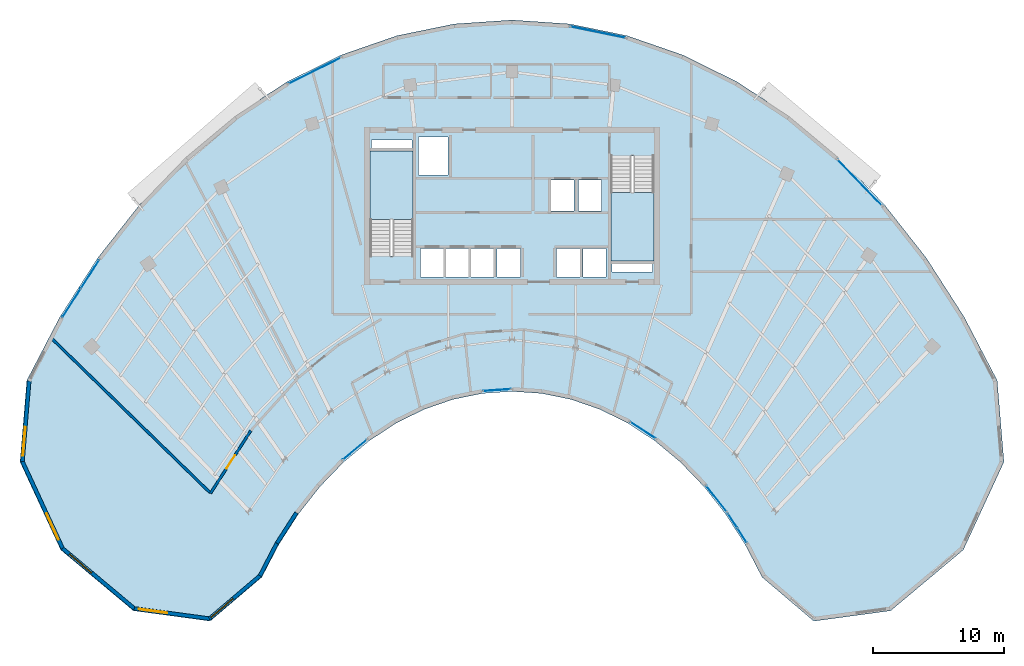
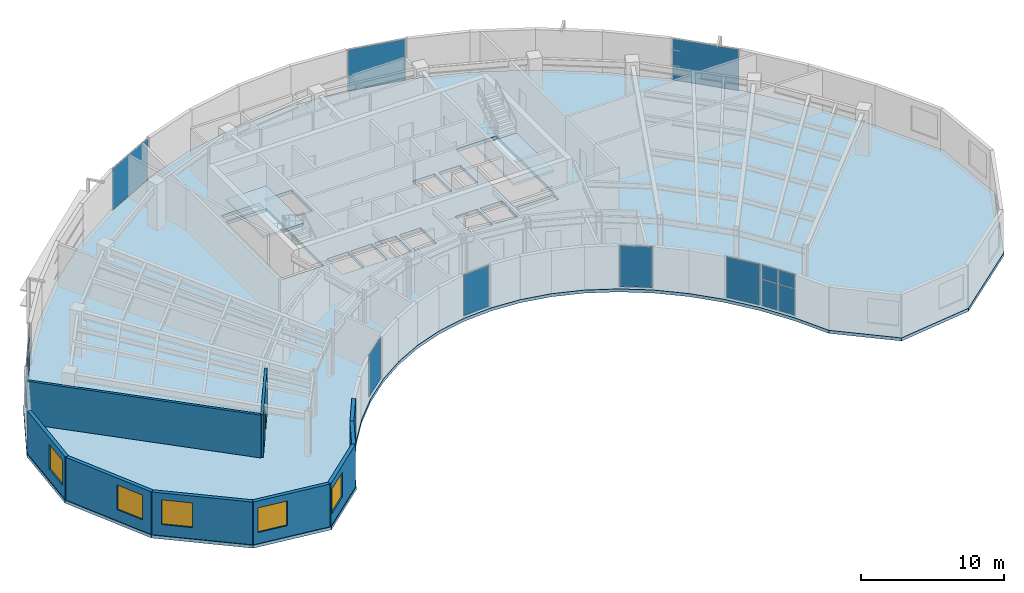
# One storey, part 7 of 13: 15 plates, 9 walls, 5 windows, 3 slabs, 1 door, 6 openings, 11 elements without a shape of their own.
"""IFC4 building model written with IfcOpenShell, lengths in metres."""

from ifc_helpers import new_model, si_unit, direction, frame, frame_2d, origin, origin_2d, place, context, subcontext, project, spatial, polyline, rectangle, outline, extrude, source, transform, mapped, material, layer, layer_set, type_object, type_shapes, element, fill, aggregate, save


model = new_model("IFC4")

# Units and contexts
model_context = context("Model", 3, precision=1e-05, world=origin(), true_north=direction((0.0, 1.0)))
body_context = subcontext(model_context, "Body", "Model", "MODEL_VIEW")
ifc_project = project(units=[si_unit("LENGTHUNIT", "METRE"), si_unit("AREAUNIT", "SQUARE_METRE"), si_unit("VOLUMEUNIT", "CUBIC_METRE"), si_unit("PLANEANGLEUNIT", "RADIAN"), si_unit("MASSUNIT", "GRAM", prefix="KILO")], contexts=[model_context])

# Site, building, storey
site_placement = place(None, origin())
site = spatial("IfcSite", under=ifc_project, at=site_placement, CompositionType="ELEMENT")
building_placement = place(site_placement, origin())
building = spatial("IfcBuilding", under=site, at=building_placement, Name="Breltana Convention Tower", CompositionType="ELEMENT")
storey_placement = place(building_placement, frame((0.0, 0.0, 223.5)))
storey = spatial("IfcBuildingStorey", under=building, at=storey_placement, Name="L54", CompositionType="ELEMENT", Elevation=223.5)

# Stair, slab
ifc_material_1 = material(Name="Concrete C40/50", Category="concrete")
stair_type = type_object("IfcStairType", Name="ST-DOG-1560-R177", PredefinedType="HALF_TURN_STAIR", material=ifc_material_1)
stair_1_placement = place(storey_placement, origin())
stair_1 = element("IfcStair", 1, at=stair_1_placement, inside=storey, type_object=stair_type, Name="L54 Protected Core Exit Stair ST-1", PredefinedType="HALF_TURN_STAIR")
ifc_layer_1 = layer(ifc_material_1, 0.199951171875, Name="Concrete C40/50")
ifc_layer_set_1 = layer_set([ifc_layer_1], Name="Concrete C40/50")
slab_type_1 = type_object("IfcSlabType", Name="SL-STAIR-LANDING-200", PredefinedType="LANDING", material=ifc_layer_set_1)
slab_1_placement = place(storey_placement, frame((0.0, 0.0, 1.75)))
slab_1 = element("IfcSlab", 2, at=slab_1_placement, type_object=slab_type_1, Name="ST-1 landing 1", PredefinedType="LANDING", context=body_context, shape_type="SweptSolid", body=[
    extrude(outline(polyline([(40.469970703125, 65.159912109375), (40.469970703125, 70.39990234375), (37.199951171875, 70.39990234375), (37.199951171875, 65.159912109375), (40.469970703125, 65.159912109375)])), origin(), (0.0, 0.0, 1.0), 0.199951171875),
])
aggregate(stair_1, [slab_1])

stair_2_placement = place(storey_placement, origin())
stair_2 = element("IfcStair", 3, at=stair_2_placement, inside=storey, type_object=stair_type, Name="L54 Protected Core Exit Stair ST-2", PredefinedType="HALF_TURN_STAIR")
slab_2_placement = place(storey_placement, frame((0.0, 0.0, 1.75)))
slab_2 = element("IfcSlab", 4, at=slab_2_placement, type_object=slab_type_1, Name="ST-2 landing 1", PredefinedType="LANDING", context=body_context, shape_type="SweptSolid", body=[
    extrude(outline(polyline([(55.530029296875, 67.239990234375), (55.530029296875, 62.0), (58.800048828125, 62.0), (58.800048828125, 67.239990234375), (55.530029296875, 67.239990234375)])), origin(), (0.0, 0.0, 1.0), 0.199951171875),
])
aggregate(stair_2, [slab_2])

# Slab
ifc_layer_2 = layer(ifc_material_1, 0.260009765625, Name="Concrete C40/50")
ifc_layer_set_2 = layer_set([ifc_layer_2], Name="Concrete C40/50")
slab_type_2 = type_object("IfcSlabType", Name="SL-UPP-260", PredefinedType="FLOOR", material=ifc_layer_set_2)
slab_3_placement = place(storey_placement, frame((0.0, 0.0, -0.260009765625)))
element("IfcSlab", 5, at=slab_3_placement, inside=storey, type_object=slab_type_2, Name="L54 Suspended Structural Floor Slab", PredefinedType="FLOOR", context=body_context, shape_type="SweptSolid", body=[
    extrude(outline(polyline([(84.9326171875, 52.924560546875), (82.411376953125, 57.767333984375), (79.53759765625, 62.244140625), (76.34130859375, 66.308837890625), (72.8544921875, 69.919921875), (69.113525390625, 73.040283203125), (65.15625, 75.637939453125), (61.023193359375, 77.6865234375), (56.7568359375, 79.1650390625), (52.40087890625, 80.058349609375), (48.0, 80.35693359375), (43.59912109375, 80.058349609375), (39.2431640625, 79.1650390625), (34.976806640625, 77.6865234375), (30.84375, 75.637939453125), (26.886474609375, 73.040283203125), (23.1455078125, 69.919921875), (19.65869140625, 66.308837890625), (16.46240234375, 62.244140625), (13.588623046875, 57.767333984375), (11.0673828125, 52.924560546875), (10.548583984375, 46.716796875), (13.645263671875, 40.0185546875), (19.1748046875, 35.388427734375), (25.02490234375, 34.59521484375), (28.961181640625, 37.941650390625), (30.260986328125, 40.43798828125), (31.7421875, 42.745849609375), (33.39013671875, 44.84130859375), (35.1875, 46.70263671875), (37.115966796875, 48.311279296875), (39.156005859375, 49.650390625), (41.28662109375, 50.706298828125), (43.48583984375, 51.468505859375), (45.731201171875, 51.928955078125), (48.0, 52.0830078125), (50.268798828125, 51.928955078125), (52.51416015625, 51.468505859375), (54.71337890625, 50.706298828125), (56.843994140625, 49.650390625), (58.884033203125, 48.311279296875), (60.8125, 46.70263671875), (62.60986328125, 44.84130859375), (64.2578125, 42.745849609375), (65.739013671875, 40.43798828125), (67.038818359375, 37.941650390625), (70.97509765625, 34.59521484375), (76.8251953125, 35.388427734375), (82.354736328125, 40.0185546875), (85.451416015625, 46.716796875), (84.9326171875, 52.924560546875)]), holes=[polyline([(37.199951171875, 62.385009765625), (40.469970703125, 62.385009765625), (40.469970703125, 70.39990234375), (37.199951171875, 70.39990234375), (37.199951171875, 62.385009765625)]), polyline([(55.530029296875, 62.0), (58.800048828125, 62.0), (58.800048828125, 70.014892578125), (55.530029296875, 70.014892578125), (55.530029296875, 62.0)]), polyline([(41.0400390625, 60.800048828125), (42.800048828125, 60.800048828125), (42.800048828125, 62.97998046875), (41.0400390625, 62.97998046875), (41.0400390625, 60.800048828125)]), polyline([(42.93994140625, 60.800048828125), (44.699951171875, 60.800048828125), (44.699951171875, 62.97998046875), (42.93994140625, 62.97998046875), (42.93994140625, 60.800048828125)]), polyline([(44.8701171875, 60.800048828125), (46.6298828125, 60.800048828125), (46.6298828125, 62.97998046875), (44.8701171875, 62.97998046875), (44.8701171875, 60.800048828125)]), polyline([(46.8701171875, 60.800048828125), (48.6298828125, 60.800048828125), (48.6298828125, 62.97998046875), (46.8701171875, 62.97998046875), (46.8701171875, 60.800048828125)]), polyline([(51.39990234375, 60.800048828125), (53.159912109375, 60.800048828125), (53.159912109375, 62.97998046875), (51.39990234375, 62.97998046875), (51.39990234375, 60.800048828125)]), polyline([(53.39990234375, 60.800048828125), (55.159912109375, 60.800048828125), (55.159912109375, 62.97998046875), (53.39990234375, 62.97998046875), (53.39990234375, 60.800048828125)]), polyline([(50.969970703125, 65.800048828125), (52.72998046875, 65.800048828125), (52.72998046875, 68.179931640625), (50.969970703125, 68.179931640625), (50.969970703125, 65.800048828125)]), polyline([(53.070068359375, 65.800048828125), (54.830078125, 65.800048828125), (54.830078125, 68.179931640625), (53.070068359375, 68.179931640625), (53.070068359375, 65.800048828125)]), polyline([(40.8798828125, 68.550048828125), (43.1201171875, 68.550048828125), (43.1201171875, 71.449951171875), (40.8798828125, 71.449951171875), (40.8798828125, 68.550048828125)]), polyline([(37.300048828125, 70.60009765625), (40.3798828125, 70.60009765625), (40.3798828125, 71.219970703125), (37.300048828125, 71.219970703125), (37.300048828125, 70.60009765625)]), polyline([(55.6201171875, 61.179931640625), (58.699951171875, 61.179931640625), (58.699951171875, 61.800048828125), (55.6201171875, 61.800048828125), (55.6201171875, 61.179931640625)])]), origin(), (0.0, 0.0, 1.0), 0.260009765625),
])

# Curtain wall, plates
ifc_material_2 = material(Name="Aluminium Anodised Bronze Frame", Category="aluminium")
ifc_layer_3 = layer(ifc_material_2, 0.18994140625, Name="Aluminium Anodised Bronze Frame")
ifc_layer_set_3 = layer_set([ifc_layer_3], Name="Aluminium Anodised Bronze Frame")
curtain_wall_type_1 = type_object("IfcCurtainWallType", Name="CW-SYS-1", PredefinedType="NOTDEFINED", material=ifc_layer_set_3)
curtain_wall_1_placement = place(storey_placement, origin())
curtain_wall_1 = element("IfcCurtainWall", 6, at=curtain_wall_1_placement, inside=storey, type_object=curtain_wall_type_1, Name="L54 inner south-court glazing 1", PredefinedType="NOTDEFINED")
ifc_material_3 = material(Name="Glass Low-E Double Glazing", Category="glass")
ifc_layer_4 = layer(ifc_material_3, 0.028076171875, Name="Glass Low-E Double Glazing")
ifc_layer_set_4 = layer_set([ifc_layer_4], Name="Glass Low-E Double Glazing")
plate_type = type_object("IfcPlateType", Name="CWP-IGU-28", PredefinedType="CURTAIN_PANEL", material=ifc_layer_set_4)
shared_shape_1 = source(origin(), body_context, "Body", "SweptSolid", [
    extrude(rectangle(XDim=1.251220703125, YDim=0.028076171875, at=origin_2d()), origin(), (0.0, 0.0, 1.0), 2.24609375),
])
plate_1_placement = place(storey_placement, frame((65.50927734375, 41.129150390625, 0.079833984375), z_axis=(0.0, 0.0, 1.0), x_axis=(-0.540184263938, 0.841546766968, 0.0)))
plate_1 = element("IfcPlate", 7, at=plate_1_placement, type_object=plate_type, Name="CW-01 panel 1.1", PredefinedType="CURTAIN_PANEL", context=body_context, shape_type="MappedRepresentation", body=[
    mapped(shared_shape_1, transform((0.0, 0.0, 0.0), scale=1.0)),
])
plate_2_placement = place(storey_placement, frame((64.790283203125, 42.249267578125, 0.079833984375), z_axis=(0.0, 0.0, 1.0), x_axis=(-0.540184263938, 0.841546766968, 0.0)))
plate_2 = element("IfcPlate", 8, at=plate_2_placement, type_object=plate_type, Name="CW-01 panel 2.1", PredefinedType="CURTAIN_PANEL", context=body_context, shape_type="MappedRepresentation", body=[
    mapped(shared_shape_1, transform((0.0, 0.0, 0.0), scale=1.0)),
])
shared_shape_2 = source(origin(), body_context, "Body", "SweptSolid", [
    extrude(rectangle(XDim=1.251220703125, YDim=0.028076171875, at=origin_2d()), origin(), (0.0, 0.0, 1.0), 1.154052734375),
])
plate_3_placement = place(storey_placement, frame((65.50927734375, 41.129150390625, 2.40576171875), z_axis=(0.0, 0.0, 1.0), x_axis=(-0.540184263938, 0.841546766968, 0.0)))
plate_3 = element("IfcPlate", 9, at=plate_3_placement, type_object=plate_type, Name="CW-01 panel 1.2", PredefinedType="CURTAIN_PANEL", context=body_context, shape_type="MappedRepresentation", body=[
    mapped(shared_shape_2, transform((0.0, 0.0, 0.0), scale=1.0)),
])
plate_4_placement = place(storey_placement, frame((64.790283203125, 42.249267578125, 2.40576171875), z_axis=(0.0, 0.0, 1.0), x_axis=(-0.540184263938, 0.841546766968, 0.0)))
plate_4 = element("IfcPlate", 10, at=plate_4_placement, type_object=plate_type, Name="CW-01 panel 2.2", PredefinedType="CURTAIN_PANEL", context=body_context, shape_type="MappedRepresentation", body=[
    mapped(shared_shape_2, transform((0.0, 0.0, 0.0), scale=1.0)),
])
aggregate(curtain_wall_1, [plate_1, plate_3, plate_2, plate_4])

# Curtain wall, plate
curtain_wall_2_placement = place(storey_placement, origin())
curtain_wall_2 = element("IfcCurtainWall", 11, at=curtain_wall_2_placement, inside=storey, type_object=curtain_wall_type_1, Name="L54 inner south-court glazing 2", PredefinedType="NOTDEFINED")
shared_shape_3 = source(origin(), body_context, "Body", "SweptSolid", [
    extrude(rectangle(XDim=2.505615234375, YDim=0.028076171875, at=origin_2d()), origin(), (0.0, 0.0, 1.0), 3.47998046875),
])
plate_5_placement = place(storey_placement, frame((63.5751953125, 43.90478515625, 0.080078125), z_axis=(0.0, 0.0, 1.0), x_axis=(-0.6181495353, 0.786060526937, 0.0)))
plate_5 = element("IfcPlate", 12, at=plate_5_placement, type_object=plate_type, Name="CW-01 panel 1.1", PredefinedType="CURTAIN_PANEL", context=body_context, shape_type="MappedRepresentation", body=[
    mapped(shared_shape_3, transform((0.0, 0.0, 0.0), scale=1.0)),
])
aggregate(curtain_wall_2, [plate_5])

# Curtain wall, plates
ifc_layer_5 = layer(ifc_material_2, 0.219970703125, Name="Aluminium Anodised Bronze Frame")
ifc_layer_set_5 = layer_set([ifc_layer_5], Name="Aluminium Anodised Bronze Frame")
curtain_wall_type_2 = type_object("IfcCurtainWallType", Name="CW-SYS-4", PredefinedType="NOTDEFINED", material=ifc_layer_set_5)
curtain_wall_3_placement = place(storey_placement, origin())
curtain_wall_3 = element("IfcCurtainWall", 13, at=curtain_wall_3_placement, inside=storey, type_object=curtain_wall_type_2, Name="L54 outer double-skin inner glazing 1", PredefinedType="NOTDEFINED")
shared_shape_4 = source(origin(), body_context, "Body", "SweptSolid", [
    extrude(rectangle(XDim=2.531494140625, YDim=0.028076171875, at=origin_2d()), origin(), (0.0, 0.0, 1.0), 2.260986328125),
])
plate_6_placement = place(storey_placement, frame((14.471435546875, 58.8095703125, 0.06982421875), z_axis=(0.0, 0.0, 1.0), x_axis=(0.540181791075, 0.84154835428, 0.0)))
plate_6 = element("IfcPlate", 14, at=plate_6_placement, type_object=plate_type, Name="CW-04 panel 1.1", PredefinedType="CURTAIN_PANEL", context=body_context, shape_type="MappedRepresentation", body=[
    mapped(shared_shape_4, transform((0.0, 0.0, 0.0), scale=1.0)),
])
plate_7_placement = place(storey_placement, frame((15.882080078125, 61.007080078125, 0.06982421875), z_axis=(0.0, 0.0, 1.0), x_axis=(0.540181791075, 0.84154835428, 0.0)))
plate_7 = element("IfcPlate", 15, at=plate_7_placement, type_object=plate_type, Name="CW-04 panel 2.1", PredefinedType="CURTAIN_PANEL", context=body_context, shape_type="MappedRepresentation", body=[
    mapped(shared_shape_4, transform((0.0, 0.0, 0.0), scale=1.0)),
])
shared_shape_5 = source(origin(), body_context, "Body", "SweptSolid", [
    extrude(rectangle(XDim=2.531494140625, YDim=0.028076171875, at=origin_2d()), origin(), (0.0, 0.0, 1.0), 1.1689453125),
])
plate_8_placement = place(storey_placement, frame((14.471435546875, 58.8095703125, 2.401123046875), z_axis=(0.0, 0.0, 1.0), x_axis=(0.540181791075, 0.84154835428, 0.0)))
plate_8 = element("IfcPlate", 16, at=plate_8_placement, type_object=plate_type, Name="CW-04 panel 1.2", PredefinedType="CURTAIN_PANEL", context=body_context, shape_type="MappedRepresentation", body=[
    mapped(shared_shape_5, transform((0.0, 0.0, 0.0), scale=1.0)),
])
plate_9_placement = place(storey_placement, frame((15.882080078125, 61.007080078125, 2.401123046875), z_axis=(0.0, 0.0, 1.0), x_axis=(0.540181791075, 0.84154835428, 0.0)))
plate_9 = element("IfcPlate", 17, at=plate_9_placement, type_object=plate_type, Name="CW-04 panel 2.2", PredefinedType="CURTAIN_PANEL", context=body_context, shape_type="MappedRepresentation", body=[
    mapped(shared_shape_5, transform((0.0, 0.0, 0.0), scale=1.0)),
])
aggregate(curtain_wall_3, [plate_6, plate_8, plate_7, plate_9])

# Curtain wall, plate
curtain_wall_4_placement = place(storey_placement, origin())
curtain_wall_4 = element("IfcCurtainWall", 18, at=curtain_wall_4_placement, inside=storey, type_object=curtain_wall_type_2, Name="L54 outer double-skin inner glazing 4", PredefinedType="NOTDEFINED")
shared_shape_6 = source(origin(), body_context, "Body", "SweptSolid", [
    extrude(rectangle(XDim=4.8408203125, YDim=0.028076171875, at=origin_2d()), origin(), (0.0, 0.0, 1.0), 3.5),
])
plate_10_placement = place(storey_placement, frame((74.46875, 67.989013671875, 0.070068359375), z_axis=(0.0, 0.0, 1.0), x_axis=(0.694599866751, -0.719396292115, 0.0)))
plate_10 = element("IfcPlate", 19, at=plate_10_placement, type_object=plate_type, Name="CW-04 panel 1.1", PredefinedType="CURTAIN_PANEL", context=body_context, shape_type="MappedRepresentation", body=[
    mapped(shared_shape_6, transform((0.0, 0.0, 0.0), scale=1.0)),
])
aggregate(curtain_wall_4, [plate_10])

curtain_wall_5_placement = place(storey_placement, origin())
curtain_wall_5 = element("IfcCurtainWall", 20, at=curtain_wall_5_placement, inside=storey, type_object=curtain_wall_type_2, Name="L54 outer double-skin inner glazing 3", PredefinedType="NOTDEFINED")
shared_shape_7 = source(origin(), body_context, "Body", "SweptSolid", [
    extrude(rectangle(XDim=4.262451171875, YDim=0.028076171875, at=origin_2d()), origin(), (0.0, 0.0, 1.0), 3.5),
])
plate_11_placement = place(storey_placement, frame((54.54296875, 79.435302734375, 0.070068359375), z_axis=(0.0, 0.0, 1.0), x_axis=(0.979615937236, -0.200879604523, 0.0)))
plate_11 = element("IfcPlate", 21, at=plate_11_placement, type_object=plate_type, Name="CW-04 panel 1.1", PredefinedType="CURTAIN_PANEL", context=body_context, shape_type="MappedRepresentation", body=[
    mapped(shared_shape_7, transform((0.0, 0.0, 0.0), scale=1.0)),
])
aggregate(curtain_wall_5, [plate_11])

curtain_wall_6_placement = place(storey_placement, origin())
curtain_wall_6 = element("IfcCurtainWall", 22, at=curtain_wall_6_placement, inside=storey, type_object=curtain_wall_type_2, Name="L54 outer double-skin inner glazing 2", PredefinedType="NOTDEFINED")
shared_shape_8 = source(origin(), body_context, "Body", "SweptSolid", [
    extrude(rectangle(XDim=4.430419921875, YDim=0.028076171875, at=origin_2d()), origin(), (0.0, 0.0, 1.0), 3.5),
])
plate_12_placement = place(storey_placement, frame((32.989990234375, 76.5009765625, 0.070068359375), z_axis=(0.0, 0.0, 1.0), x_axis=(0.895972827235, 0.444108875003, 0.0)))
plate_12 = element("IfcPlate", 23, at=plate_12_placement, type_object=plate_type, Name="CW-04 panel 1.1", PredefinedType="CURTAIN_PANEL", context=body_context, shape_type="MappedRepresentation", body=[
    mapped(shared_shape_8, transform((0.0, 0.0, 0.0), scale=1.0)),
])
aggregate(curtain_wall_6, [plate_12])

curtain_wall_7_placement = place(storey_placement, origin())
curtain_wall_7 = element("IfcCurtainWall", 24, at=curtain_wall_7_placement, inside=storey, type_object=curtain_wall_type_1, Name="L54 inner south-court glazing 3", PredefinedType="NOTDEFINED")
shared_shape_9 = source(origin(), body_context, "Body", "SweptSolid", [
    extrude(rectangle(XDim=2.2802734375, YDim=0.028076171875, at=origin_2d()), origin(), (0.0, 0.0, 1.0), 3.47998046875),
])
plate_13_placement = place(storey_placement, frame((57.962890625, 49.13134765625, 0.080078125), z_axis=(0.0, 0.0, 1.0), x_axis=(-0.835982113821, 0.548756690502, 0.0)))
plate_13 = element("IfcPlate", 25, at=plate_13_placement, type_object=plate_type, Name="CW-01 panel 1.1", PredefinedType="CURTAIN_PANEL", context=body_context, shape_type="MappedRepresentation", body=[
    mapped(shared_shape_9, transform((0.0, 0.0, 0.0), scale=1.0)),
])
aggregate(curtain_wall_7, [plate_13])

curtain_wall_8_placement = place(storey_placement, origin())
curtain_wall_8 = element("IfcCurtainWall", 26, at=curtain_wall_8_placement, inside=storey, type_object=curtain_wall_type_1, Name="L54 inner south-court glazing 4", PredefinedType="NOTDEFINED")
shared_shape_10 = source(origin(), body_context, "Body", "SweptSolid", [
    extrude(rectangle(XDim=2.114013671875, YDim=0.028076171875, at=origin_2d()), origin(), (0.0, 0.0, 1.0), 3.47998046875),
])
plate_14_placement = place(storey_placement, frame((46.853515625, 52.185546875, 0.080078125), z_axis=(0.0, 0.0, 1.0), x_axis=(-0.997704064785, -0.067724435121, 0.0)))
plate_14 = element("IfcPlate", 27, at=plate_14_placement, type_object=plate_type, Name="CW-01 panel 1.1", PredefinedType="CURTAIN_PANEL", context=body_context, shape_type="MappedRepresentation", body=[
    mapped(shared_shape_10, transform((0.0, 0.0, 0.0), scale=1.0)),
])
aggregate(curtain_wall_8, [plate_14])

curtain_wall_9_placement = place(storey_placement, origin())
curtain_wall_9 = element("IfcCurtainWall", 28, at=curtain_wall_9_placement, inside=storey, type_object=curtain_wall_type_1, Name="L54 inner south-court glazing 5", PredefinedType="NOTDEFINED")
shared_shape_11 = source(origin(), body_context, "Body", "SweptSolid", [
    extrude(rectangle(XDim=2.351318359375, YDim=0.028076171875, at=origin_2d()), origin(), (0.0, 0.0, 1.0), 3.47998046875),
])
plate_15_placement = place(storey_placement, frame((36.036376953125, 47.64501953125, 0.080078125), z_axis=(0.0, 0.0, 1.0), x_axis=(-0.767924180628, -0.640540750309, 0.0)))
plate_15 = element("IfcPlate", 29, at=plate_15_placement, type_object=plate_type, Name="CW-01 panel 1.1", PredefinedType="CURTAIN_PANEL", context=body_context, shape_type="MappedRepresentation", body=[
    mapped(shared_shape_11, transform((0.0, 0.0, 0.0), scale=1.0)),
])
aggregate(curtain_wall_9, [plate_15])

# Wall, opening, window
ifc_material_4 = material(Name="Limestone Buff Insulated Wall", Category="masonry")
ifc_layer_6 = layer(ifc_material_4, 0.280029296875, Name="Limestone Buff Insulated Wall")
ifc_layer_set_6 = layer_set([ifc_layer_6], Name="Limestone Buff Insulated Wall")
wall_type_1 = type_object("IfcWallType", Name="WL-EXT-NOSE-280", PredefinedType="SOLIDWALL", material=ifc_layer_set_6)
shared_shape_12 = source(origin(), body_context, "Body", "SweptSolid", [
    extrude(rectangle(XDim=6.145751953125, YDim=0.280029296875, at=frame_2d((3.07275390625, 0.0))), origin(), (0.0, 0.0, 1.0), 3.639892578125),
])
wall_1_placement = place(storey_placement, frame((10.73193359375, 46.7490234375, 0.0), z_axis=(0.0, 0.0, 1.0), x_axis=(0.083301904456, 0.996524356307, 0.0)))
wall_1 = element("IfcWall", 30, at=wall_1_placement, inside=storey, type_object=wall_type_1, Name="L54 curved limestone nose wall W6", PredefinedType="SOLIDWALL", context=body_context, shape_type="MappedRepresentation", body=[
    mapped(shared_shape_12, transform((0.0, 0.0, 0.0), scale=1.0)),
])
opening_1_placement = place(wall_1_placement, frame((0.436279296875, 0.0, 0.949951171875)))
opening_1 = element("IfcOpeningElement", 31, at=opening_1_placement, cuts=wall_1, Name="Opening W-03", PredefinedType="OPENING", context=body_context, shape_type="SweptSolid", body=[
    extrude(rectangle(XDim=2.199951171875, YDim=2.10009765625, at=frame_2d((1.10009765625, 1.050048828125))), frame((0.0, 0.14990234375, 0.0), z_axis=(0.0, -1.0, 0.0), x_axis=(1.0, 0.0, 0.0)), (0.0, 0.0, 1.0), 0.300048828125),
])
ifc_material_5 = material(Name="Glass Low-E Insulated Window", Category="glass")
window_type = type_object("IfcWindowType", Name="WN-NOSE-2200X2100", PartitioningType="TRIPLE_PANEL_VERTICAL", PredefinedType="WINDOW", material=ifc_material_5)
shared_shape_13 = source(origin(), body_context, "Body", "SweptSolid", [
    extrude(rectangle(XDim=2.199951171875, YDim=2.10009765625, at=frame_2d((1.10009765625, 1.050048828125))), frame((0.0, 0.030029296875, 0.0), z_axis=(0.0, -1.0, 0.0), x_axis=(1.0, 0.0, 0.0)), (0.0, 0.0, 1.0), 0.06005859375),
])
type_shapes(window_type, [shared_shape_13])
window_1_placement = place(opening_1_placement, origin())
window_1 = element("IfcWindow", 32, at=window_1_placement, inside=storey, type_object=window_type, Name="L54 nose window W6", OverallHeight=2.10009765625, OverallWidth=2.199951171875, PartitioningType="TRIPLE_PANEL_VERTICAL", PredefinedType="WINDOW", context=body_context, shape_type="MappedRepresentation", body=[
    mapped(shared_shape_13, transform((0.0, 0.0, 0.0), scale=1.0)),
])
fill(opening_1, window_1)

shared_shape_14 = source(origin(), body_context, "Body", "SweptSolid", [
    extrude(rectangle(XDim=7.29150390625, YDim=0.280029296875, at=frame_2d((3.645751953125, 0.0))), origin(), (0.0, 0.0, 1.0), 3.639892578125),
])
wall_2_placement = place(storey_placement, frame((13.791748046875, 40.130615234375, 0.0), z_axis=(0.0, 0.0, 1.0), x_axis=(-0.419642001049, 0.907689699708, 0.0)))
wall_2 = element("IfcWall", 33, at=wall_2_placement, inside=storey, type_object=wall_type_1, Name="L54 curved limestone nose wall W5", PredefinedType="SOLIDWALL", context=body_context, shape_type="MappedRepresentation", body=[
    mapped(shared_shape_14, transform((0.0, 0.0, 0.0), scale=1.0)),
])
opening_2_placement = place(wall_2_placement, frame((0.722900390625, 0.0, 0.949951171875)))
opening_2 = element("IfcOpeningElement", 34, at=opening_2_placement, cuts=wall_2, Name="Opening W-03", PredefinedType="OPENING", context=body_context, shape_type="SweptSolid", body=[
    extrude(rectangle(XDim=2.199951171875, YDim=2.10009765625, at=frame_2d((1.10009765625, 1.050048828125))), frame((0.0, 0.14990234375, 0.0), z_axis=(0.0, -1.0, 0.0), x_axis=(1.0, 0.0, 0.0)), (0.0, 0.0, 1.0), 0.300048828125),
])
window_2_placement = place(opening_2_placement, origin())
window_2 = element("IfcWindow", 35, at=window_2_placement, inside=storey, type_object=window_type, Name="L54 nose window W5", OverallHeight=2.10009765625, OverallWidth=2.199951171875, PartitioningType="TRIPLE_PANEL_VERTICAL", PredefinedType="WINDOW", context=body_context, shape_type="MappedRepresentation", body=[
    mapped(shared_shape_13, transform((0.0, 0.0, 0.0), scale=1.0)),
])
fill(opening_2, window_2)

shared_shape_15 = source(origin(), body_context, "Body", "SweptSolid", [
    extrude(rectangle(XDim=7.11962890625, YDim=0.280029296875, at=frame_2d((3.559814453125, 0.0))), origin(), (0.0, 0.0, 1.0), 3.639892578125),
])
wall_3_placement = place(storey_placement, frame((19.25048828125, 35.559814453125, 0.0), z_axis=(0.0, 0.0, 1.0), x_axis=(-0.766709783564, 0.641993853387, 0.0)))
wall_3 = element("IfcWall", 36, at=wall_3_placement, inside=storey, type_object=wall_type_1, Name="L54 curved limestone nose wall W4", PredefinedType="SOLIDWALL", context=body_context, shape_type="MappedRepresentation", body=[
    mapped(shared_shape_15, transform((0.0, 0.0, 0.0), scale=1.0)),
])
opening_3_placement = place(wall_3_placement, frame((4.23974609375, 0.0, 0.949951171875)))
opening_3 = element("IfcOpeningElement", 37, at=opening_3_placement, cuts=wall_3, Name="Opening W-03", PredefinedType="OPENING", context=body_context, shape_type="SweptSolid", body=[
    extrude(rectangle(XDim=2.199951171875, YDim=2.10009765625, at=frame_2d((1.10009765625, 1.050048828125))), frame((0.0, 0.14990234375, 0.0), z_axis=(0.0, -1.0, 0.0), x_axis=(1.0, 0.0, 0.0)), (0.0, 0.0, 1.0), 0.300048828125),
])
window_3_placement = place(opening_3_placement, origin())
window_3 = element("IfcWindow", 38, at=window_3_placement, inside=storey, type_object=window_type, Name="L54 nose window W4", OverallHeight=2.10009765625, OverallWidth=2.199951171875, PartitioningType="TRIPLE_PANEL_VERTICAL", PredefinedType="WINDOW", context=body_context, shape_type="MappedRepresentation", body=[
    mapped(shared_shape_13, transform((0.0, 0.0, 0.0), scale=1.0)),
])
fill(opening_3, window_3)

shared_shape_16 = source(origin(), body_context, "Body", "SweptSolid", [
    extrude(rectangle(XDim=5.771240234375, YDim=0.280029296875, at=frame_2d((2.8857421875, 0.0))), origin(), (0.0, 0.0, 1.0), 3.639892578125),
])
wall_4_placement = place(storey_placement, frame((24.969482421875, 34.784423828125, 0.0), z_axis=(0.0, 0.0, 1.0), x_axis=(-0.990933615537, 0.134352408237, 0.0)))
wall_4 = element("IfcWall", 39, at=wall_4_placement, inside=storey, type_object=wall_type_1, Name="L54 curved limestone nose wall W3", PredefinedType="SOLIDWALL", context=body_context, shape_type="MappedRepresentation", body=[
    mapped(shared_shape_16, transform((0.0, 0.0, 0.0), scale=1.0)),
])
opening_4_placement = place(wall_4_placement, frame((3.228759765625, 0.0, 0.949951171875)))
opening_4 = element("IfcOpeningElement", 40, at=opening_4_placement, cuts=wall_4, Name="Opening W-03", PredefinedType="OPENING", context=body_context, shape_type="SweptSolid", body=[
    extrude(rectangle(XDim=2.199951171875, YDim=2.10009765625, at=frame_2d((1.10009765625, 1.050048828125))), frame((0.0, 0.14990234375, 0.0), z_axis=(0.0, -1.0, 0.0), x_axis=(1.0, 0.0, 0.0)), (0.0, 0.0, 1.0), 0.300048828125),
])
window_4_placement = place(opening_4_placement, origin())
window_4 = element("IfcWindow", 41, at=window_4_placement, inside=storey, type_object=window_type, Name="L54 nose window W3", OverallHeight=2.10009765625, OverallWidth=2.199951171875, PartitioningType="TRIPLE_PANEL_VERTICAL", PredefinedType="WINDOW", context=body_context, shape_type="MappedRepresentation", body=[
    mapped(shared_shape_13, transform((0.0, 0.0, 0.0), scale=1.0)),
])
fill(opening_4, window_4)

shared_shape_17 = source(origin(), body_context, "Body", "SweptSolid", [
    extrude(rectangle(XDim=5.051025390625, YDim=0.280029296875, at=frame_2d((2.525390625, 0.0))), origin(), (0.0, 0.0, 1.0), 3.639892578125),
])
wall_5_placement = place(storey_placement, frame((28.81787109375, 38.055908203125, 0.0), z_axis=(0.0, 0.0, 1.0), x_axis=(-0.761904731537, -0.647689107568, 0.0)))
wall_5 = element("IfcWall", 42, at=wall_5_placement, inside=storey, type_object=wall_type_1, Name="L54 curved limestone nose wall W2", PredefinedType="SOLIDWALL", context=body_context, shape_type="MappedRepresentation", body=[
    mapped(shared_shape_17, transform((0.0, 0.0, 0.0), scale=1.0)),
])
opening_5_placement = place(wall_5_placement, frame((2.688232421875, 0.0, 0.949951171875)))
opening_5 = element("IfcOpeningElement", 43, at=opening_5_placement, cuts=wall_5, Name="Opening W-03", PredefinedType="OPENING", context=body_context, shape_type="SweptSolid", body=[
    extrude(rectangle(XDim=2.199951171875, YDim=2.10009765625, at=frame_2d((1.10009765625, 1.050048828125))), frame((0.0, 0.14990234375, 0.0), z_axis=(0.0, -1.0, 0.0), x_axis=(1.0, 0.0, 0.0)), (0.0, 0.0, 1.0), 0.300048828125),
])
window_5_placement = place(opening_5_placement, origin())
window_5 = element("IfcWindow", 44, at=window_5_placement, inside=storey, type_object=window_type, Name="L54 nose window W2", OverallHeight=2.10009765625, OverallWidth=2.199951171875, PartitioningType="TRIPLE_PANEL_VERTICAL", PredefinedType="WINDOW", context=body_context, shape_type="MappedRepresentation", body=[
    mapped(shared_shape_13, transform((0.0, 0.0, 0.0), scale=1.0)),
])
fill(opening_5, window_5)

# Walls
shared_shape_18 = source(origin(), body_context, "Body", "SweptSolid", [
    extrude(rectangle(XDim=2.779296875, YDim=0.280029296875, at=frame_2d((1.3896484375, 0.0))), origin(), (0.0, 0.0, 1.0), 3.639892578125),
])
wall_6_placement = place(storey_placement, frame((30.101318359375, 40.521240234375, 0.0), z_axis=(0.0, 0.0, 1.0), x_axis=(-0.461770308601, -0.886999538948, 0.0)))
element("IfcWall", 45, at=wall_6_placement, inside=storey, type_object=wall_type_1, Name="L54 curved limestone nose wall W1", PredefinedType="SOLIDWALL", context=body_context, shape_type="MappedRepresentation", body=[
    mapped(shared_shape_18, transform((0.0, 0.0, 0.0), scale=1.0)),
])
shared_shape_19 = source(origin(), body_context, "Body", "SweptSolid", [
    extrude(rectangle(XDim=2.7421875, YDim=0.280029296875, at=frame_2d((1.37109375, 0.0))), origin(), (0.0, 0.0, 1.0), 3.639892578125),
])
wall_7_placement = place(storey_placement, frame((31.5908203125, 42.843017578125, 0.0), z_axis=(0.0, 0.0, 1.0), x_axis=(-0.540172468355, -0.841554338371, 0.0)))
element("IfcWall", 46, at=wall_7_placement, inside=storey, type_object=wall_type_1, Name="L54 curved limestone nose wall E19", PredefinedType="SOLIDWALL", context=body_context, shape_type="MappedRepresentation", body=[
    mapped(shared_shape_19, transform((0.0, 0.0, 0.0), scale=1.0)),
])

# Wall, opening, door
ifc_material_6 = material(Name="Gypsum Acoustic Hotel Wall")
ifc_layer_7 = layer(ifc_material_6, 0.195068359375, Name="Gypsum Acoustic Hotel Wall")
ifc_layer_set_7 = layer_set([ifc_layer_7], Name="Gypsum Acoustic Hotel Wall")
wall_type_2 = type_object("IfcWallType", Name="WL-HOTEL-200", PredefinedType="PARTITIONING", material=ifc_layer_set_7)
shared_shape_20 = source(origin(), body_context, "Body", "SweptSolid", [
    extrude(rectangle(XDim=5.66845703125, YDim=0.195068359375, at=frame_2d((2.834228515625, 0.0))), origin(), (0.0, 0.0, 1.0), 3.639892578125),
])
wall_8_placement = place(storey_placement, frame((25.056396484375, 44.33740234375, 0.0), z_axis=(0.0, 0.0, 1.0), x_axis=(0.540868603668, 0.841107099938, 0.0)))
wall_8 = element("IfcWall", 47, at=wall_8_placement, inside=storey, type_object=wall_type_2, Name="L54 interior partition W-L54-EXWR1-COR1", PredefinedType="PARTITIONING", context=body_context, shape_type="MappedRepresentation", body=[
    mapped(shared_shape_20, transform((0.0, 0.0, 0.0), scale=1.0)),
])
opening_6_placement = place(wall_8_placement, frame((2.234375, 0.0, 0.0)))
opening_6 = element("IfcOpeningElement", 48, at=opening_6_placement, cuts=wall_8, Name="Opening D-10", PredefinedType="OPENING", context=body_context, shape_type="SweptSolid", body=[
    extrude(rectangle(XDim=1.199951171875, YDim=2.14990234375, at=frame_2d((0.60009765625, 1.074951171875))), frame((0.0, 0.107421875, 0.0), z_axis=(0.0, -1.0, 0.0), x_axis=(1.0, 0.0, 0.0)), (0.0, 0.0, 1.0), 0.215087890625),
])
ifc_material_7 = material(Name="Timber Oak Veneer Fire Door", Category="wood")
door_type = type_object("IfcDoorType", Name="DR-INT-1200", OperationType="NOTDEFINED", PredefinedType="DOOR", material=ifc_material_7)
shared_shape_21 = source(origin(), body_context, "Body", "SweptSolid", [
    extrude(rectangle(XDim=1.199951171875, YDim=2.14990234375, at=frame_2d((0.60009765625, 1.074951171875))), frame((0.0, 0.02490234375, 0.0), z_axis=(0.0, -1.0, 0.0), x_axis=(1.0, 0.0, 0.0)), (0.0, 0.0, 1.0), 0.050048828125),
])
type_shapes(door_type, [shared_shape_21])
door_placement = place(opening_6_placement, origin())
door = element("IfcDoor", 49, at=door_placement, inside=storey, type_object=door_type, Name="L54 interior door D-L54-EXWR1", OperationType="SINGLE_SWING_RIGHT", OverallHeight=2.14990234375, OverallWidth=1.199951171875, PredefinedType="DOOR", context=body_context, shape_type="MappedRepresentation", body=[
    mapped(shared_shape_21, transform((0.0, 0.0, 0.0), scale=1.0)),
])
fill(opening_6, door)

# Wall
shared_shape_22 = source(origin(), body_context, "Body", "SweptSolid", [
    extrude(rectangle(XDim=16.853759765625, YDim=0.195068359375, at=frame_2d((8.4267578125, 0.0))), origin(), (0.0, 0.0, 1.0), 3.639892578125),
])
wall_9_placement = place(storey_placement, frame((25.02392578125, 44.368896484375, 0.0), z_axis=(0.0, 0.0, 1.0), x_axis=(-0.716517105841, 0.697569521294, 0.0)))
element("IfcWall", 50, at=wall_9_placement, inside=storey, type_object=wall_type_2, Name="L54 interior partition W-L54-EXWR1-RA", PredefinedType="PARTITIONING", context=body_context, shape_type="MappedRepresentation", body=[
    mapped(shared_shape_22, transform((0.0, 0.0, 0.0), scale=1.0)),
])

save(model, "model.ifc")
